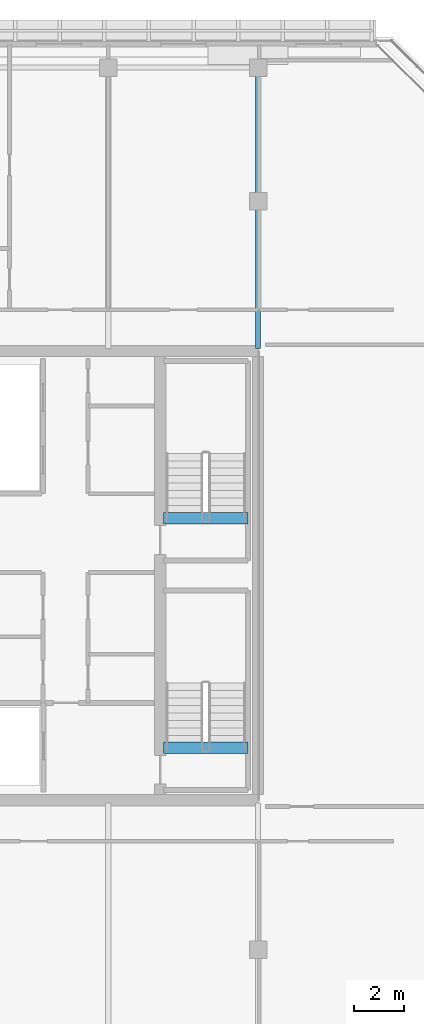
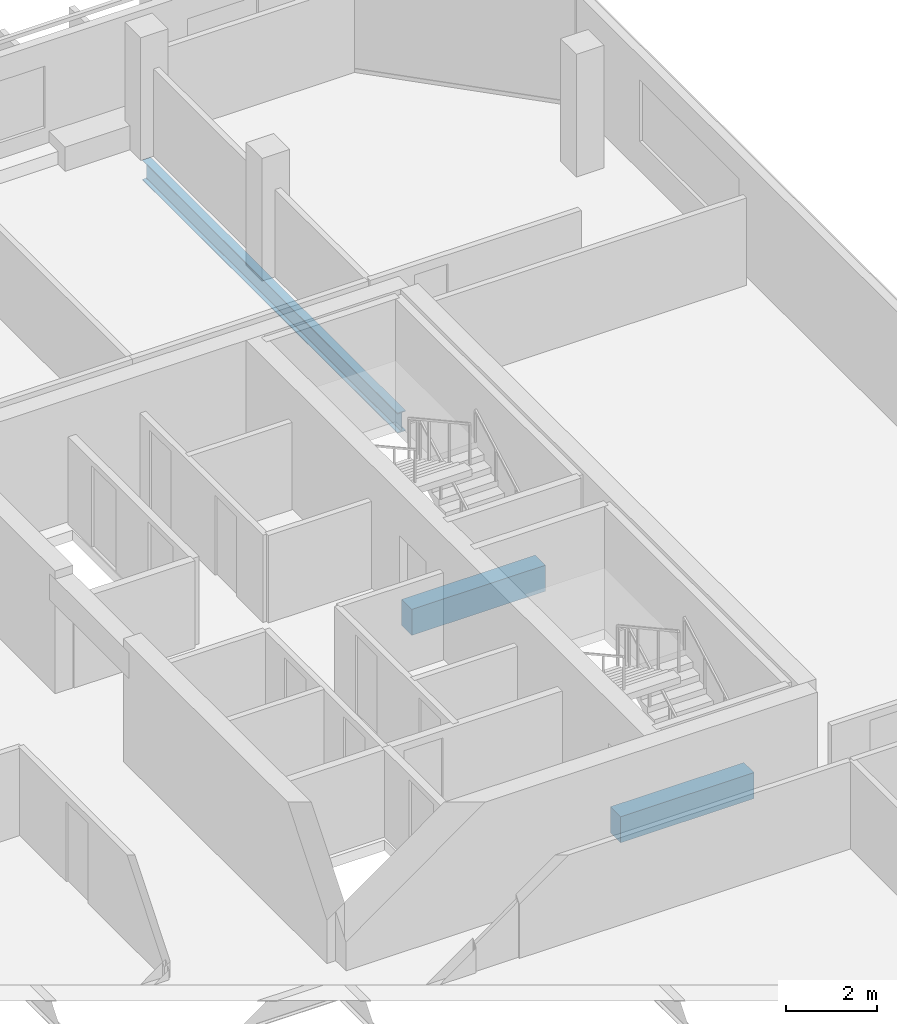
# One storey, part 17 of 30: 3 beams.
"""IFC4 building model written with IfcOpenShell, lengths in metres."""

from ifc_helpers import new_model, si_unit, direction, frame, origin, origin_2d, place, context, subcontext, project, spatial, rectangle, i_section, extrude, material, material_profile, profile_set, type_object, element, save


model = new_model("IFC4")

# Units and contexts
model_context = context("Model", 3, precision=1e-05, world=origin(), true_north=direction((0.0, 1.0)))
body_context = subcontext(model_context, "Body", "Model", "MODEL_VIEW")
ifc_project = project(units=[si_unit("LENGTHUNIT", "METRE"), si_unit("AREAUNIT", "SQUARE_METRE"), si_unit("VOLUMEUNIT", "CUBIC_METRE"), si_unit("PLANEANGLEUNIT", "RADIAN"), si_unit("MASSUNIT", "GRAM", prefix="KILO")], contexts=[model_context])

# Site, building, storey
site_placement = place(None, origin())
site = spatial("IfcSite", under=ifc_project, at=site_placement, CompositionType="ELEMENT")
building_placement = place(site_placement, origin())
building = spatial("IfcBuilding", under=site, at=building_placement, Name="Tanjung Sevakor Pilgrim Tower", CompositionType="ELEMENT")
storey_placement = place(building_placement, frame((0.0, 0.0, 229.35009765625)))
storey = spatial("IfcBuildingStorey", under=building, at=storey_placement, Name="L64", CompositionType="ELEMENT", Elevation=229.35009765625)

# Beams
ifc_material_1 = material(Name="Steel S355J2", Category="steel")
ifc_material_profile_1 = material_profile(ifc_material_1, i_section(OverallWidth=0.210693359375, OverallDepth=0.53955078125, WebThickness=0.01171875, FlangeThickness=0.018798828125, FilletRadius=0.0126953125, at=origin_2d()))
ifc_profile_set_1 = profile_set([ifc_material_profile_1], Name="Steel S355J2")
beam_type_1 = type_object("IfcBeamType", Name="BM-B-G6-UB_533x210x109", PredefinedType="BEAM", material=ifc_profile_set_1)
beam_placement = place(storey_placement, frame((90.0, 42.7060546875, -0.5498046875), z_axis=(0.0, 1.0, 0.0), x_axis=(-1.0, 0.0, 0.0)))
element("IfcBeam", 1, at=beam_placement, inside=storey, type_object=beam_type_1, Name="L64 EAST Girder 010", PredefinedType="BEAM", context=body_context, shape_type="SweptSolid", body=[
    extrude(i_section(OverallWidth=0.210693359375, OverallDepth=0.53955078125, WebThickness=0.01171875, FlangeThickness=0.018798828125, FilletRadius=0.0126953125, at=origin_2d()), origin(), (0.0, 0.0, 1.0), 11.243896484375),
])
ifc_material_2 = material(Name="Concrete C60/75", Category="concrete")
ifc_material_profile_2 = material_profile(ifc_material_2, rectangle(XDim=0.449951171875, YDim=0.699951171875, at=origin_2d()))
ifc_profile_set_2 = profile_set([ifc_material_profile_2], Name="Concrete C60/75")
beam_type_2 = type_object("IfcBeamType", Name="BM-B-LN3-RC-BM_450x700", PredefinedType="LINTEL", material=ifc_profile_set_2)
for number, where, z_axis, x_axis, name in (
    (2, (86.199951171875, 26.699951171875, -0.35009765625), (1.0, 0.0, 0.0), (0.0, 1.0, 0.0), "L64 TS-E1 Stair Threshold Beam"),
    (3, (86.199951171875, 35.89990234375, -0.35009765625), (1.0, 0.0, 0.0), (0.0, 1.0, 0.0), "L64 TS-E2 Stair Threshold Beam"),
):
    element("IfcBeam", number, at=place(storey_placement, frame(where, z_axis=z_axis, x_axis=x_axis)), inside=storey, type_object=beam_type_2, Name=name, PredefinedType="LINTEL", context=body_context, shape_type="SweptSolid", body=[
        extrude(rectangle(XDim=0.449951171875, YDim=0.699951171875, at=origin_2d()), origin(), (0.0, 0.0, 1.0), 3.400146484375),
    ])

save(model, "model.ifc")
